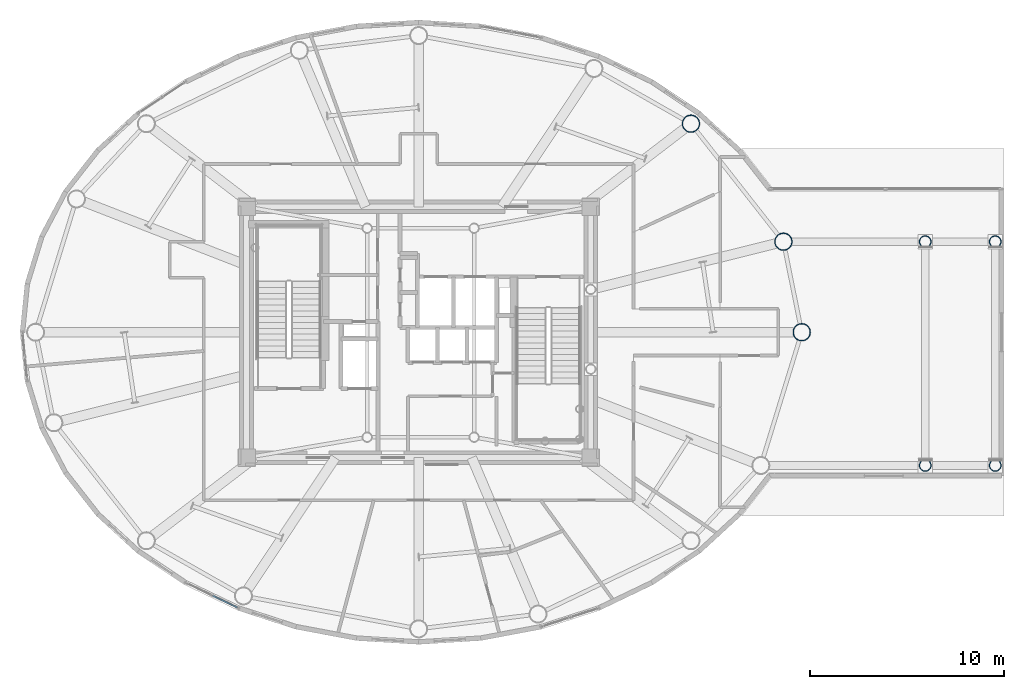
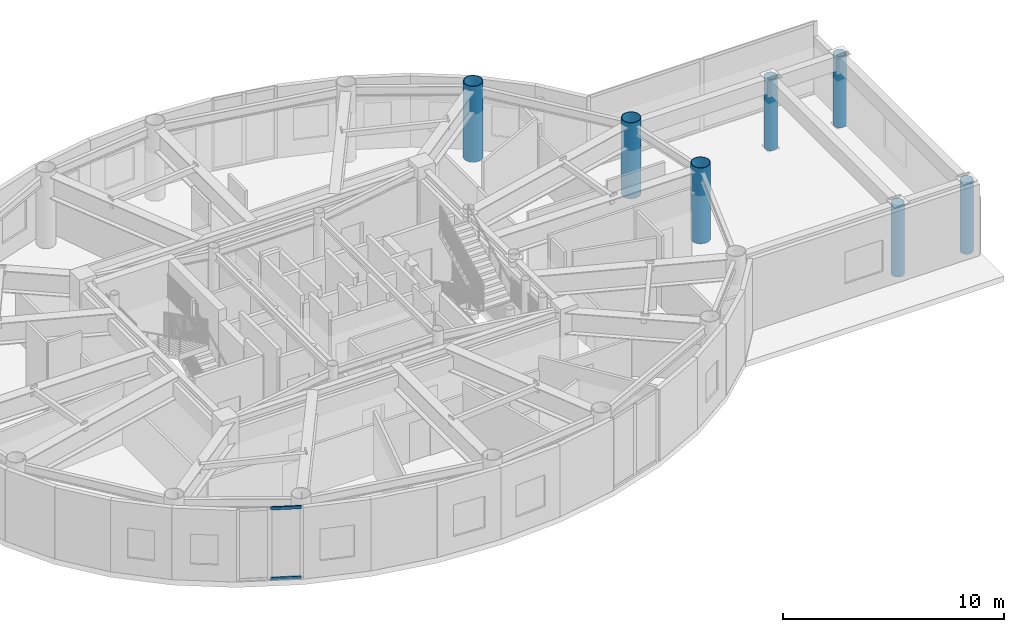
# One storey, part 2 of 26: 7 columns, 2 members, 1 element without a shape of its own.
"""IFC4 building model written with IfcOpenShell, lengths in metres."""

from ifc_helpers import new_model, si_unit, direction, frame, origin, origin_2d, place, context, subcontext, project, spatial, hollow_rectangle, hollow_circle, extrude, source, transform, mapped, material, layer, layer_set, material_profile, profile_set, type_object, element, aggregate, save


model = new_model("IFC4")

# Units and contexts
model_context = context("Model", 3, precision=1e-05, world=origin(), true_north=direction((0.0, 1.0)))
body_context = subcontext(model_context, "Body", "Model", "MODEL_VIEW")
ifc_project = project(units=[si_unit("LENGTHUNIT", "METRE"), si_unit("AREAUNIT", "SQUARE_METRE"), si_unit("VOLUMEUNIT", "CUBIC_METRE"), si_unit("PLANEANGLEUNIT", "RADIAN"), si_unit("MASSUNIT", "GRAM", prefix="KILO")], contexts=[model_context])

# Site, building, storey
site_placement = place(None, origin())
site = spatial("IfcSite", under=ifc_project, at=site_placement, CompositionType="ELEMENT")
building_placement = place(site_placement, origin())
building = spatial("IfcBuilding", under=site, at=building_placement, Name="Linh Dai School and Residence Tower", CompositionType="ELEMENT")
storey_placement = place(building_placement, frame((0.0, 0.0, 351.0)))
storey = spatial("IfcBuildingStorey", under=building, at=storey_placement, Name="L87", CompositionType="ELEMENT", Elevation=351.0)

# Columns
ifc_material_1 = material(Name="Structural Steel S355JR", Category="steel")
ifc_material_profile_1 = material_profile(ifc_material_1, hollow_circle(Radius=0.449951171875, WallThickness=0.028076171875, at=origin_2d()), Name="CHS 900x28")
ifc_profile_set_1 = profile_set([ifc_material_profile_1], Name="Structural Steel S355JR")
column_type_1 = type_object("IfcColumnType", Name="COL-MC7", PredefinedType="COLUMN", material=ifc_profile_set_1)
for number, where, z_axis, x_axis, name in (
    (1, (55.699951171875, 27.0, 0.0), (0.0, 0.0, 1.0), (1.0, 0.0, 0.0), "L87 Perimeter CFT Mega-Column MC01"),
    (2, (54.7578125, 31.65478515625, 0.0), (0.0, 0.0, 1.0), (1.0, 0.0, 0.0), "L87 Perimeter CFT Mega-Column MC02"),
    (3, (50.00244140625, 37.72265625, 0.0), (0.0, 0.0, 1.0), (1.0, 0.0, 0.0), "L87 Perimeter CFT Mega-Column MC03"),
):
    element("IfcColumn", number, at=place(storey_placement, frame(where, z_axis=z_axis, x_axis=x_axis)), inside=storey, type_object=column_type_1, Name=name, PredefinedType="COLUMN", context=body_context, shape_type="SweptSolid", body=[
        extrude(hollow_circle(Radius=0.449951171875, WallThickness=0.028076171875, at=origin_2d()), origin(), (0.0, 0.0, 1.0), 4.199951171875),
    ])
ifc_material_profile_2 = material_profile(ifc_material_1, hollow_circle(Radius=0.304931640625, WallThickness=0.02490234375, at=origin_2d()), Name="CHS 610x25")
ifc_profile_set_2 = profile_set([ifc_material_profile_2], Name="Structural Steel S355JR")
column_type_2 = type_object("IfcColumnType", Name="COL-SLC", PredefinedType="COLUMN", material=ifc_profile_set_2)
for number, where, z_axis, x_axis, name in (
    (4, (62.050048828125, 20.1474609375, 0.0), (0.0, 0.0, 1.0), (1.0, 0.0, 0.0), "L87 Sky-Lounge Vierendeel Column SLC1"),
    (5, (65.64990234375, 20.1474609375, 0.0), (0.0, 0.0, 1.0), (1.0, 0.0, 0.0), "L87 Sky-Lounge Vierendeel Column SLC3"),
    (6, (62.050048828125, 31.65478515625, 0.0), (0.0, 0.0, 1.0), (1.0, 0.0, 0.0), "L87 Sky-Lounge Vierendeel Column SLC2"),
    (7, (65.64990234375, 31.65478515625, 0.0), (0.0, 0.0, 1.0), (1.0, 0.0, 0.0), "L87 Sky-Lounge Vierendeel Column SLC4"),
):
    element("IfcColumn", number, at=place(storey_placement, frame(where, z_axis=z_axis, x_axis=x_axis)), inside=storey, type_object=column_type_2, Name=name, PredefinedType="COLUMN", context=body_context, shape_type="SweptSolid", body=[
        extrude(hollow_circle(Radius=0.304931640625, WallThickness=0.02490234375, at=origin_2d()), origin(), (0.0, 0.0, 1.0), 3.949951171875),
    ])

# Curtain wall, members
ifc_material_2 = material(Name="Aluminium Anodised Curtain Wall", Category="aluminium")
ifc_layer = layer(ifc_material_2, 0.199951171875)
ifc_layer_set = layer_set([ifc_layer], Name="Aluminium Anodised Curtain Wall")
curtain_wall_type = type_object("IfcCurtainWallType", Name="CW-SYS-6", PredefinedType="USERDEFINED", material=ifc_layer_set)
curtain_wall_placement = place(storey_placement, origin())
curtain_wall = element("IfcCurtainWall", 8, at=curtain_wall_placement, inside=storey, type_object=curtain_wall_type, Name="L87 CW6 Curtain Wall 27", ObjectType="UNITISED CURTAIN WALL", PredefinedType="USERDEFINED")
ifc_material_3 = material(Name="Aluminium Alloy 6063-T6", Category="aluminium")
ifc_material_profile_3 = material_profile(ifc_material_3, hollow_rectangle(XDim=0.074951171875, YDim=0.159912109375, WallThickness=0.00390625, at=origin_2d()), Name="RHS 160x75x4")
ifc_profile_set_3 = profile_set([ifc_material_profile_3], Name="Aluminium Alloy 6063-T6")
member_type = type_object("IfcMemberType", Name="CW-SYS-6-TRN", PredefinedType="USERDEFINED", material=ifc_profile_set_3)
shared_shape = source(origin(), body_context, "Body", "SweptSolid", [
    extrude(hollow_rectangle(XDim=0.074951171875, YDim=0.159912109375, WallThickness=0.00390625, at=origin_2d()), origin(), (0.0, 0.0, 1.0), 1.39990234375),
])
member_1_placement = place(storey_placement, frame((26.671875, 12.843505859375, 0.03759765625), z_axis=(-0.901563871495, 0.432646028081, 0.0), x_axis=(-0.432646028081, -0.901563871495, 0.0)))
member_1 = element("IfcMember", 9, at=member_1_placement, type_object=member_type, Name="CW6 transom 1.1", ObjectType="TRANSOM", PredefinedType="USERDEFINED", context=body_context, shape_type="MappedRepresentation", body=[
    mapped(shared_shape, transform((0.0, 0.0, 0.0), x_axis=(1.0, 0.0, 0.0), y_axis=(0.0, 1.0, 0.0), z_axis=(0.0, 0.0, 1.0), scale=1.0)),
])
member_2_placement = place(storey_placement, frame((26.671875, 12.843505859375, 3.91259765625), z_axis=(-0.901563871495, 0.432646028081, 0.0), x_axis=(-0.432646028081, -0.901563871495, 0.0)))
member_2 = element("IfcMember", 10, at=member_2_placement, type_object=member_type, Name="CW6 transom 1.2", ObjectType="TRANSOM", PredefinedType="USERDEFINED", context=body_context, shape_type="MappedRepresentation", body=[
    mapped(shared_shape, transform((0.0, 0.0, 0.0), x_axis=(1.0, 0.0, 0.0), y_axis=(0.0, 1.0, 0.0), z_axis=(0.0, 0.0, 1.0), scale=1.0)),
])
aggregate(curtain_wall, [member_1, member_2])

save(model, "model.ifc")
